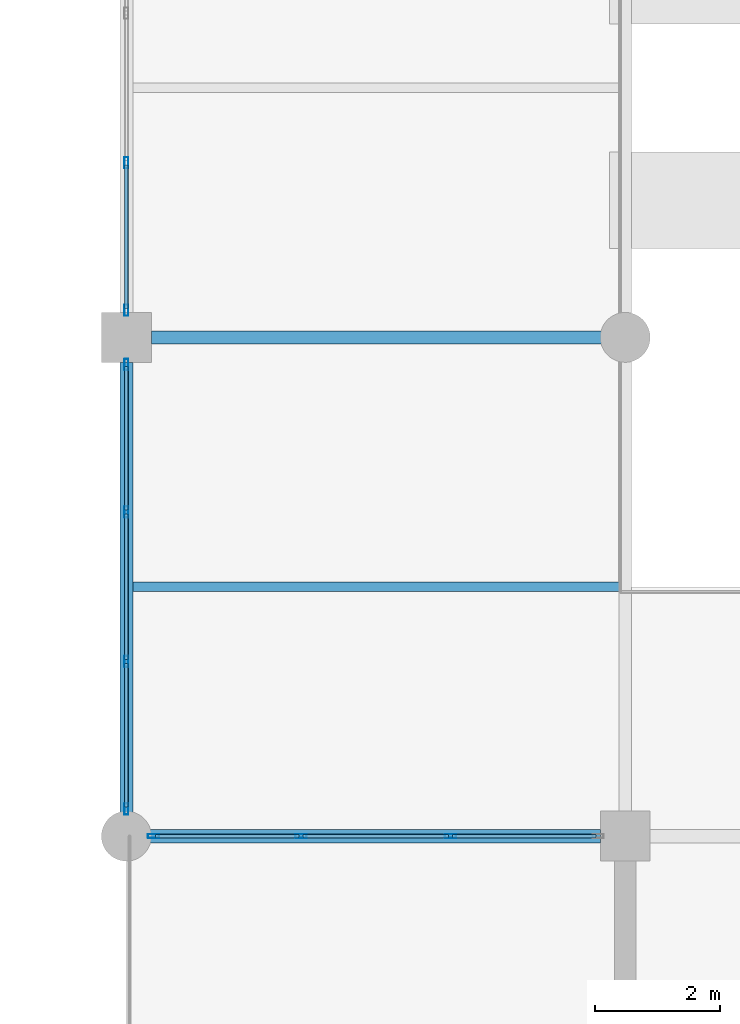
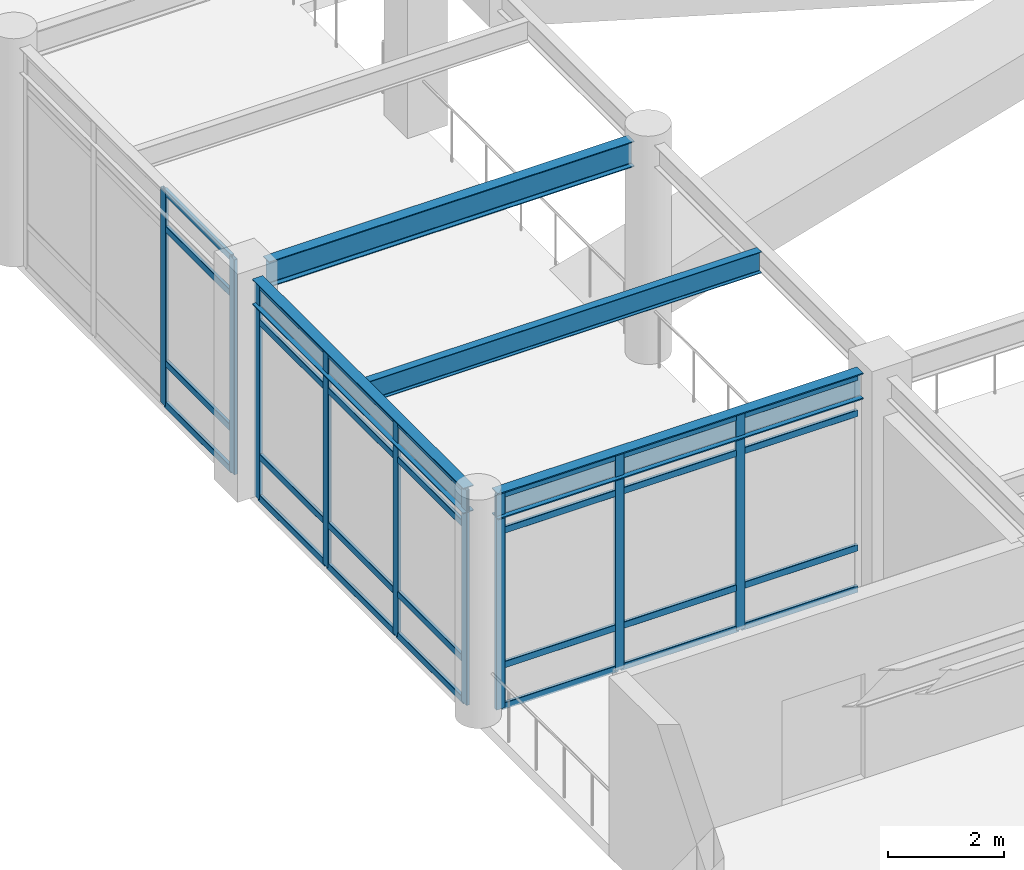
# One storey, part 34 of 117: 37 members, 4 beams, 3 elements without a shape of their own.
"""IFC4 building model written with IfcOpenShell, lengths in metres."""

from ifc_helpers import new_model, si_unit, direction, frame, origin, origin_2d, place, context, subcontext, project, spatial, hollow_rectangle, i_section, extrude, material, material_profile, profile_set, type_object, element, aggregate, save


model = new_model("IFC4")

# Units and contexts
model_context = context("Model", 3, precision=1e-05, world=origin(), true_north=direction((0.0, 1.0)))
body_context = subcontext(model_context, "Body", "Model", "MODEL_VIEW")
ifc_project = project(units=[si_unit("LENGTHUNIT", "METRE"), si_unit("AREAUNIT", "SQUARE_METRE"), si_unit("VOLUMEUNIT", "CUBIC_METRE"), si_unit("PLANEANGLEUNIT", "RADIAN"), si_unit("MASSUNIT", "GRAM", prefix="KILO")], contexts=[model_context])

# Site, building, storey
site_placement = place(None, origin())
site = spatial("IfcSite", under=ifc_project, at=site_placement, CompositionType="ELEMENT")
building_placement = place(site_placement, origin())
building = spatial("IfcBuilding", under=site, at=building_placement, Name="Solmirada Galleria", CompositionType="ELEMENT")
storey_placement = place(building_placement, frame((0.0, 0.0, 5.60009765625)))
storey = spatial("IfcBuildingStorey", under=building, at=storey_placement, Name="L01", CompositionType="ELEMENT", Elevation=5.60009765625)

# Beams
ifc_material_1 = material(Name="Steel S355 / ASTM A992 Grade 50", Category="steel")
ifc_material_profile_1 = material_profile(ifc_material_1, i_section(OverallWidth=0.214111328125, OverallDepth=0.549072265625, WebThickness=0.0146484375, FlangeThickness=0.023681640625, FilletRadius=0.014892578125, at=origin_2d()), Name="W21X93")
ifc_profile_set_1 = profile_set([ifc_material_profile_1], Name="Steel S355 / ASTM A992 Grade 50")
beam_type_1 = type_object("IfcBeamType", Name="BM-GIRD-W21A", PredefinedType="BEAM", material=ifc_profile_set_1)
beam_1_placement = place(storey_placement, frame((80.3359375, 48.0, 4.325439453125), z_axis=(1.0, 0.0, 0.0), x_axis=(0.0, 1.0, 0.0)))
element("IfcBeam", 1, at=beam_1_placement, inside=storey, type_object=beam_type_1, Name="Primary beam L02 X(80..88, 48)", PredefinedType="BEAM", context=body_context, shape_type="SweptSolid", body=[
    extrude(i_section(OverallWidth=0.214111328125, OverallDepth=0.549072265625, WebThickness=0.0146484375, FlangeThickness=0.023681640625, FilletRadius=0.014892578125, at=origin_2d()), origin(), (0.0, 0.0, 1.0), 7.26416015625),
])
ifc_material_profile_2 = material_profile(ifc_material_1, i_section(OverallWidth=0.2099609375, OverallDepth=0.537109375, WebThickness=0.010986328125, FlangeThickness=0.017333984375, FilletRadius=0.014892578125, at=origin_2d()), Name="W21X68")
ifc_profile_set_2 = profile_set([ifc_material_profile_2], Name="Steel S355 / ASTM A992 Grade 50")
beam_type_2 = type_object("IfcBeamType", Name="BM-GIRD-W21B", PredefinedType="BEAM", material=ifc_profile_set_2)
for number, where, z_axis, x_axis, name in (
    (2, (80.39990234375, 56.0, 4.331298828125), (1.0, 0.0, 0.0), (0.0, 1.0, 0.0), "Primary beam L02 X(80..88, 56)"),
    (3, (80.0, 48.3359375, 4.331298828125), (0.0, 1.0, 0.0), (-1.0, 0.0, 0.0), "Primary girder L02 Y(80, 48..56)"),
):
    element("IfcBeam", number, at=place(storey_placement, frame(where, z_axis=z_axis, x_axis=x_axis)), inside=storey, type_object=beam_type_2, Name=name, PredefinedType="BEAM", context=body_context, shape_type="SweptSolid", body=[
        extrude(i_section(OverallWidth=0.2099609375, OverallDepth=0.537109375, WebThickness=0.010986328125, FlangeThickness=0.017333984375, FilletRadius=0.014892578125, at=origin_2d()), origin(), (0.0, 0.0, 1.0), 7.26416015625),
    ])
ifc_material_profile_3 = material_profile(ifc_material_1, i_section(OverallWidth=0.152099609375, OverallDepth=0.449951171875, WebThickness=0.007568359375, FlangeThickness=0.0107421875, FilletRadius=0.011962890625, at=origin_2d()), Name="W18X35")
ifc_profile_set_3 = profile_set([ifc_material_profile_3], Name="Steel S355 / ASTM A992 Grade 50")
beam_type_3 = type_object("IfcBeamType", Name="BM-JST-W18B", PredefinedType="JOIST", material=ifc_profile_set_3)
beam_2_placement = place(storey_placement, frame((80.10498046875, 52.0, 4.375), z_axis=(1.0, 0.0, 0.0), x_axis=(0.0, 1.0, 0.0)))
element("IfcBeam", 4, at=beam_2_placement, inside=storey, type_object=beam_type_3, Name="Composite floor joist L02 (80..88, 52.0)", PredefinedType="JOIST", context=body_context, shape_type="SweptSolid", body=[
    extrude(i_section(OverallWidth=0.152099609375, OverallDepth=0.449951171875, WebThickness=0.007568359375, FlangeThickness=0.0107421875, FilletRadius=0.011962890625, at=origin_2d()), origin(), (0.0, 0.0, 1.0), 7.798095703125),
])

# Curtain wall, members
ifc_material_2 = material(Name="Impact-resistant low-E double glazing", Category="glass")
curtain_wall_type = type_object("IfcCurtainWallType", Name="CW-FZ3-L01-B3-L072", PredefinedType="NOTDEFINED", material=ifc_material_2)
curtain_wall_1_placement = place(storey_placement, origin())
curtain_wall_1 = element("IfcCurtainWall", 5, at=curtain_wall_1_placement, inside=storey, type_object=curtain_wall_type, Name="Terrace and arcade storefront CW-L01-043", PredefinedType="NOTDEFINED")
ifc_material_3 = material(Name="Anodised aluminium framing", Category="aluminium")
ifc_material_profile_4 = material_profile(ifc_material_3, hollow_rectangle(XDim=0.06494140625, YDim=0.179931640625, WallThickness=0.00390625, InnerFilletRadius=0.00390625, OuterFilletRadius=0.008056640625, at=origin_2d()), Name="ALU-MULL-180X65")
ifc_profile_set_4 = profile_set([ifc_material_profile_4], Name="Anodised aluminium framing")
member_type_1 = type_object("IfcMemberType", Name="CW-MULL-180", PredefinedType="MULLION", material=ifc_profile_set_4)
member_1_placement = place(storey_placement, frame((85.19921875, 48.0, 0.0), z_axis=(0.0, 0.0, 1.0), x_axis=(0.0, -1.0, 0.0)))
member_1 = element("IfcMember", 6, at=member_1_placement, type_object=member_type_1, Name="CW12 mullion 2", PredefinedType="MULLION", context=body_context, shape_type="SweptSolid", body=[
    extrude(hollow_rectangle(XDim=0.06494140625, YDim=0.179931640625, WallThickness=0.00390625, InnerFilletRadius=0.00390625, OuterFilletRadius=0.008056640625, at=origin_2d()), origin(), (0.0, 0.0, 1.0), 4.52001953125),
])
member_2_placement = place(storey_placement, frame((82.80078125, 48.0, 0.0), z_axis=(0.0, 0.0, 1.0), x_axis=(0.0, -1.0, 0.0)))
member_2 = element("IfcMember", 7, at=member_2_placement, type_object=member_type_1, Name="CW12 mullion 3", PredefinedType="MULLION", context=body_context, shape_type="SweptSolid", body=[
    extrude(hollow_rectangle(XDim=0.06494140625, YDim=0.179931640625, WallThickness=0.00390625, InnerFilletRadius=0.00390625, OuterFilletRadius=0.008056640625, at=origin_2d()), origin(), (0.0, 0.0, 1.0), 4.52001953125),
])
member_3_placement = place(storey_placement, frame((80.4345703125, 48.0, 0.0), z_axis=(0.0, 0.0, 1.0), x_axis=(0.0, -1.0, 0.0)))
member_3 = element("IfcMember", 8, at=member_3_placement, type_object=member_type_1, Name="CW12 mullion 4", PredefinedType="MULLION", context=body_context, shape_type="SweptSolid", body=[
    extrude(hollow_rectangle(XDim=0.06494140625, YDim=0.179931640625, WallThickness=0.00390625, InnerFilletRadius=0.00390625, OuterFilletRadius=0.008056640625, at=origin_2d()), origin(), (0.0, 0.0, 1.0), 4.52001953125),
])

curtain_wall_2_placement = place(storey_placement, origin())
curtain_wall_2 = element("IfcCurtainWall", 9, at=curtain_wall_2_placement, inside=storey, type_object=curtain_wall_type, Name="Terrace and arcade storefront CW-L01-044", PredefinedType="NOTDEFINED")
member_4_placement = place(storey_placement, frame((80.0, 48.4345703125, 0.0), z_axis=(0.0, 0.0, 1.0), x_axis=(-1.0, 0.0, 0.0)))
member_4 = element("IfcMember", 10, at=member_4_placement, type_object=member_type_1, Name="CW12 mullion 1", PredefinedType="MULLION", context=body_context, shape_type="SweptSolid", body=[
    extrude(hollow_rectangle(XDim=0.06494140625, YDim=0.179931640625, WallThickness=0.00390625, InnerFilletRadius=0.00390625, OuterFilletRadius=0.008056640625, at=origin_2d()), origin(), (0.0, 0.0, 1.0), 4.52001953125),
])
member_5_placement = place(storey_placement, frame((80.0, 50.80078125, 0.0), z_axis=(0.0, 0.0, 1.0), x_axis=(-1.0, 0.0, 0.0)))
member_5 = element("IfcMember", 11, at=member_5_placement, type_object=member_type_1, Name="CW12 mullion 2", PredefinedType="MULLION", context=body_context, shape_type="SweptSolid", body=[
    extrude(hollow_rectangle(XDim=0.06494140625, YDim=0.179931640625, WallThickness=0.00390625, InnerFilletRadius=0.00390625, OuterFilletRadius=0.008056640625, at=origin_2d()), origin(), (0.0, 0.0, 1.0), 4.52001953125),
])
member_6_placement = place(storey_placement, frame((80.0, 53.19921875, 0.0), z_axis=(0.0, 0.0, 1.0), x_axis=(-1.0, 0.0, 0.0)))
member_6 = element("IfcMember", 12, at=member_6_placement, type_object=member_type_1, Name="CW12 mullion 3", PredefinedType="MULLION", context=body_context, shape_type="SweptSolid", body=[
    extrude(hollow_rectangle(XDim=0.06494140625, YDim=0.179931640625, WallThickness=0.00390625, InnerFilletRadius=0.00390625, OuterFilletRadius=0.008056640625, at=origin_2d()), origin(), (0.0, 0.0, 1.0), 4.52001953125),
])
member_7_placement = place(storey_placement, frame((80.0, 55.5654296875, 0.0), z_axis=(0.0, 0.0, 1.0), x_axis=(-1.0, 0.0, 0.0)))
member_7 = element("IfcMember", 13, at=member_7_placement, type_object=member_type_1, Name="CW12 mullion 4", PredefinedType="MULLION", context=body_context, shape_type="SweptSolid", body=[
    extrude(hollow_rectangle(XDim=0.06494140625, YDim=0.179931640625, WallThickness=0.00390625, InnerFilletRadius=0.00390625, OuterFilletRadius=0.008056640625, at=origin_2d()), origin(), (0.0, 0.0, 1.0), 4.52001953125),
])

curtain_wall_3_placement = place(storey_placement, origin())
curtain_wall_3 = element("IfcCurtainWall", 14, at=curtain_wall_3_placement, inside=storey, type_object=curtain_wall_type, Name="Terrace and arcade storefront CW-L01-045", PredefinedType="NOTDEFINED")
member_8_placement = place(storey_placement, frame((80.0, 56.4345703125, 0.0), z_axis=(0.0, 0.0, 1.0), x_axis=(-1.0, 0.0, 0.0)))
member_8 = element("IfcMember", 15, at=member_8_placement, type_object=member_type_1, Name="CW12 mullion 1", PredefinedType="MULLION", context=body_context, shape_type="SweptSolid", body=[
    extrude(hollow_rectangle(XDim=0.06494140625, YDim=0.179931640625, WallThickness=0.00390625, InnerFilletRadius=0.00390625, OuterFilletRadius=0.008056640625, at=origin_2d()), origin(), (0.0, 0.0, 1.0), 4.52001953125),
])
member_9_placement = place(storey_placement, frame((80.0, 58.80078125, 0.0), z_axis=(0.0, 0.0, 1.0), x_axis=(-1.0, 0.0, 0.0)))
member_9 = element("IfcMember", 16, at=member_9_placement, type_object=member_type_1, Name="CW12 mullion 2", PredefinedType="MULLION", context=body_context, shape_type="SweptSolid", body=[
    extrude(hollow_rectangle(XDim=0.06494140625, YDim=0.179931640625, WallThickness=0.00390625, InnerFilletRadius=0.00390625, OuterFilletRadius=0.008056640625, at=origin_2d()), origin(), (0.0, 0.0, 1.0), 4.52001953125),
])

# Member
ifc_material_profile_5 = material_profile(ifc_material_3, hollow_rectangle(XDim=0.06494140625, YDim=0.139892578125, WallThickness=0.00341796875, InnerFilletRadius=0.00341796875, OuterFilletRadius=0.007080078125, at=origin_2d()), Name="ALU-TRAN-140X65")
ifc_profile_set_5 = profile_set([ifc_material_profile_5], Name="Anodised aluminium framing")
member_type_2 = type_object("IfcMemberType", Name="CW-TRAN-140", PredefinedType="USERDEFINED", material=ifc_profile_set_5)
member_10_placement = place(storey_placement, frame((87.532958984375, 48.0, 0.032470703125), z_axis=(-1.0, 0.0, 0.0), x_axis=(0.0, -1.0, 0.0)))
member_10 = element("IfcMember", 17, at=member_10_placement, type_object=member_type_2, Name="CW12 transom 1.1", ObjectType="TRANSOM", PredefinedType="USERDEFINED", context=body_context, shape_type="SweptSolid", body=[
    extrude(hollow_rectangle(XDim=0.06494140625, YDim=0.139892578125, WallThickness=0.00341796875, InnerFilletRadius=0.00341796875, OuterFilletRadius=0.007080078125, at=origin_2d()), origin(), (0.0, 0.0, 1.0), 2.301025390625),
])

member_11_placement = place(storey_placement, frame((87.532958984375, 48.0, 0.89990234375), z_axis=(-1.0, 0.0, 0.0), x_axis=(0.0, -1.0, 0.0)))
member_11 = element("IfcMember", 18, at=member_11_placement, type_object=member_type_2, Name="CW12 transom 1.2", ObjectType="TRANSOM", PredefinedType="USERDEFINED", context=body_context, shape_type="SweptSolid", body=[
    extrude(hollow_rectangle(XDim=0.06494140625, YDim=0.139892578125, WallThickness=0.00341796875, InnerFilletRadius=0.00341796875, OuterFilletRadius=0.007080078125, at=origin_2d()), origin(), (0.0, 0.0, 1.0), 2.301025390625),
])

member_12_placement = place(storey_placement, frame((87.532958984375, 48.0, 3.72998046875), z_axis=(-1.0, 0.0, 0.0), x_axis=(0.0, -1.0, 0.0)))
member_12 = element("IfcMember", 19, at=member_12_placement, type_object=member_type_2, Name="CW12 transom 1.3", ObjectType="TRANSOM", PredefinedType="USERDEFINED", context=body_context, shape_type="SweptSolid", body=[
    extrude(hollow_rectangle(XDim=0.06494140625, YDim=0.139892578125, WallThickness=0.00341796875, InnerFilletRadius=0.00341796875, OuterFilletRadius=0.007080078125, at=origin_2d()), origin(), (0.0, 0.0, 1.0), 2.301025390625),
])

member_13_placement = place(storey_placement, frame((87.532958984375, 48.0, 4.4873046875), z_axis=(-1.0, 0.0, 0.0), x_axis=(0.0, -1.0, 0.0)))
member_13 = element("IfcMember", 20, at=member_13_placement, type_object=member_type_2, Name="CW12 transom 1.4", ObjectType="TRANSOM", PredefinedType="USERDEFINED", context=body_context, shape_type="SweptSolid", body=[
    extrude(hollow_rectangle(XDim=0.06494140625, YDim=0.139892578125, WallThickness=0.00341796875, InnerFilletRadius=0.00341796875, OuterFilletRadius=0.007080078125, at=origin_2d()), origin(), (0.0, 0.0, 1.0), 2.301025390625),
])

member_14_placement = place(storey_placement, frame((85.166748046875, 48.0, 0.032470703125), z_axis=(-1.0, 0.0, 0.0), x_axis=(0.0, -1.0, 0.0)))
member_14 = element("IfcMember", 21, at=member_14_placement, type_object=member_type_2, Name="CW12 transom 2.1", ObjectType="TRANSOM", PredefinedType="USERDEFINED", context=body_context, shape_type="SweptSolid", body=[
    extrude(hollow_rectangle(XDim=0.06494140625, YDim=0.139892578125, WallThickness=0.00341796875, InnerFilletRadius=0.00341796875, OuterFilletRadius=0.007080078125, at=origin_2d()), origin(), (0.0, 0.0, 1.0), 2.33349609375),
])

member_15_placement = place(storey_placement, frame((85.166748046875, 48.0, 0.89990234375), z_axis=(-1.0, 0.0, 0.0), x_axis=(0.0, -1.0, 0.0)))
member_15 = element("IfcMember", 22, at=member_15_placement, type_object=member_type_2, Name="CW12 transom 2.2", ObjectType="TRANSOM", PredefinedType="USERDEFINED", context=body_context, shape_type="SweptSolid", body=[
    extrude(hollow_rectangle(XDim=0.06494140625, YDim=0.139892578125, WallThickness=0.00341796875, InnerFilletRadius=0.00341796875, OuterFilletRadius=0.007080078125, at=origin_2d()), origin(), (0.0, 0.0, 1.0), 2.33349609375),
])

member_16_placement = place(storey_placement, frame((85.166748046875, 48.0, 3.72998046875), z_axis=(-1.0, 0.0, 0.0), x_axis=(0.0, -1.0, 0.0)))
member_16 = element("IfcMember", 23, at=member_16_placement, type_object=member_type_2, Name="CW12 transom 2.3", ObjectType="TRANSOM", PredefinedType="USERDEFINED", context=body_context, shape_type="SweptSolid", body=[
    extrude(hollow_rectangle(XDim=0.06494140625, YDim=0.139892578125, WallThickness=0.00341796875, InnerFilletRadius=0.00341796875, OuterFilletRadius=0.007080078125, at=origin_2d()), origin(), (0.0, 0.0, 1.0), 2.33349609375),
])

member_17_placement = place(storey_placement, frame((85.166748046875, 48.0, 4.4873046875), z_axis=(-1.0, 0.0, 0.0), x_axis=(0.0, -1.0, 0.0)))
member_17 = element("IfcMember", 24, at=member_17_placement, type_object=member_type_2, Name="CW12 transom 2.4", ObjectType="TRANSOM", PredefinedType="USERDEFINED", context=body_context, shape_type="SweptSolid", body=[
    extrude(hollow_rectangle(XDim=0.06494140625, YDim=0.139892578125, WallThickness=0.00341796875, InnerFilletRadius=0.00341796875, OuterFilletRadius=0.007080078125, at=origin_2d()), origin(), (0.0, 0.0, 1.0), 2.33349609375),
])

member_18_placement = place(storey_placement, frame((82.76806640625, 48.0, 0.032470703125), z_axis=(-1.0, 0.0, 0.0), x_axis=(0.0, -1.0, 0.0)))
member_18 = element("IfcMember", 25, at=member_18_placement, type_object=member_type_2, Name="CW12 transom 3.1", ObjectType="TRANSOM", PredefinedType="USERDEFINED", context=body_context, shape_type="SweptSolid", body=[
    extrude(hollow_rectangle(XDim=0.06494140625, YDim=0.139892578125, WallThickness=0.00341796875, InnerFilletRadius=0.00341796875, OuterFilletRadius=0.007080078125, at=origin_2d()), origin(), (0.0, 0.0, 1.0), 2.301025390625),
])

member_19_placement = place(storey_placement, frame((82.76806640625, 48.0, 0.89990234375), z_axis=(-1.0, 0.0, 0.0), x_axis=(0.0, -1.0, 0.0)))
member_19 = element("IfcMember", 26, at=member_19_placement, type_object=member_type_2, Name="CW12 transom 3.2", ObjectType="TRANSOM", PredefinedType="USERDEFINED", context=body_context, shape_type="SweptSolid", body=[
    extrude(hollow_rectangle(XDim=0.06494140625, YDim=0.139892578125, WallThickness=0.00341796875, InnerFilletRadius=0.00341796875, OuterFilletRadius=0.007080078125, at=origin_2d()), origin(), (0.0, 0.0, 1.0), 2.301025390625),
])

member_20_placement = place(storey_placement, frame((82.76806640625, 48.0, 3.72998046875), z_axis=(-1.0, 0.0, 0.0), x_axis=(0.0, -1.0, 0.0)))
member_20 = element("IfcMember", 27, at=member_20_placement, type_object=member_type_2, Name="CW12 transom 3.3", ObjectType="TRANSOM", PredefinedType="USERDEFINED", context=body_context, shape_type="SweptSolid", body=[
    extrude(hollow_rectangle(XDim=0.06494140625, YDim=0.139892578125, WallThickness=0.00341796875, InnerFilletRadius=0.00341796875, OuterFilletRadius=0.007080078125, at=origin_2d()), origin(), (0.0, 0.0, 1.0), 2.301025390625),
])

member_21_placement = place(storey_placement, frame((82.76806640625, 48.0, 4.4873046875), z_axis=(-1.0, 0.0, 0.0), x_axis=(0.0, -1.0, 0.0)))
member_21 = element("IfcMember", 28, at=member_21_placement, type_object=member_type_2, Name="CW12 transom 3.4", ObjectType="TRANSOM", PredefinedType="USERDEFINED", context=body_context, shape_type="SweptSolid", body=[
    extrude(hollow_rectangle(XDim=0.06494140625, YDim=0.139892578125, WallThickness=0.00341796875, InnerFilletRadius=0.00341796875, OuterFilletRadius=0.007080078125, at=origin_2d()), origin(), (0.0, 0.0, 1.0), 2.301025390625),
])

aggregate(curtain_wall_1, [member_1, member_2, member_3, member_10, member_11, member_12, member_13, member_14, member_15, member_16, member_17, member_18, member_19, member_20, member_21])

member_22_placement = place(storey_placement, frame((80.0, 48.467041015625, 0.032470703125), z_axis=(0.0, 1.0, 0.0), x_axis=(-1.0, 0.0, 0.0)))
member_22 = element("IfcMember", 29, at=member_22_placement, type_object=member_type_2, Name="CW12 transom 1.1", ObjectType="TRANSOM", PredefinedType="USERDEFINED", context=body_context, shape_type="SweptSolid", body=[
    extrude(hollow_rectangle(XDim=0.06494140625, YDim=0.139892578125, WallThickness=0.00341796875, InnerFilletRadius=0.00341796875, OuterFilletRadius=0.007080078125, at=origin_2d()), origin(), (0.0, 0.0, 1.0), 2.301025390625),
])

member_23_placement = place(storey_placement, frame((80.0, 48.467041015625, 0.89990234375), z_axis=(0.0, 1.0, 0.0), x_axis=(-1.0, 0.0, 0.0)))
member_23 = element("IfcMember", 30, at=member_23_placement, type_object=member_type_2, Name="CW12 transom 1.2", ObjectType="TRANSOM", PredefinedType="USERDEFINED", context=body_context, shape_type="SweptSolid", body=[
    extrude(hollow_rectangle(XDim=0.06494140625, YDim=0.139892578125, WallThickness=0.00341796875, InnerFilletRadius=0.00341796875, OuterFilletRadius=0.007080078125, at=origin_2d()), origin(), (0.0, 0.0, 1.0), 2.301025390625),
])

member_24_placement = place(storey_placement, frame((80.0, 48.467041015625, 3.72998046875), z_axis=(0.0, 1.0, 0.0), x_axis=(-1.0, 0.0, 0.0)))
member_24 = element("IfcMember", 31, at=member_24_placement, type_object=member_type_2, Name="CW12 transom 1.3", ObjectType="TRANSOM", PredefinedType="USERDEFINED", context=body_context, shape_type="SweptSolid", body=[
    extrude(hollow_rectangle(XDim=0.06494140625, YDim=0.139892578125, WallThickness=0.00341796875, InnerFilletRadius=0.00341796875, OuterFilletRadius=0.007080078125, at=origin_2d()), origin(), (0.0, 0.0, 1.0), 2.301025390625),
])

member_25_placement = place(storey_placement, frame((80.0, 48.467041015625, 4.4873046875), z_axis=(0.0, 1.0, 0.0), x_axis=(-1.0, 0.0, 0.0)))
member_25 = element("IfcMember", 32, at=member_25_placement, type_object=member_type_2, Name="CW12 transom 1.4", ObjectType="TRANSOM", PredefinedType="USERDEFINED", context=body_context, shape_type="SweptSolid", body=[
    extrude(hollow_rectangle(XDim=0.06494140625, YDim=0.139892578125, WallThickness=0.00341796875, InnerFilletRadius=0.00341796875, OuterFilletRadius=0.007080078125, at=origin_2d()), origin(), (0.0, 0.0, 1.0), 2.301025390625),
])

member_26_placement = place(storey_placement, frame((80.0, 50.833251953125, 0.032470703125), z_axis=(0.0, 1.0, 0.0), x_axis=(-1.0, 0.0, 0.0)))
member_26 = element("IfcMember", 33, at=member_26_placement, type_object=member_type_2, Name="CW12 transom 2.1", ObjectType="TRANSOM", PredefinedType="USERDEFINED", context=body_context, shape_type="SweptSolid", body=[
    extrude(hollow_rectangle(XDim=0.06494140625, YDim=0.139892578125, WallThickness=0.00341796875, InnerFilletRadius=0.00341796875, OuterFilletRadius=0.007080078125, at=origin_2d()), origin(), (0.0, 0.0, 1.0), 2.33349609375),
])

member_27_placement = place(storey_placement, frame((80.0, 50.833251953125, 0.89990234375), z_axis=(0.0, 1.0, 0.0), x_axis=(-1.0, 0.0, 0.0)))
member_27 = element("IfcMember", 34, at=member_27_placement, type_object=member_type_2, Name="CW12 transom 2.2", ObjectType="TRANSOM", PredefinedType="USERDEFINED", context=body_context, shape_type="SweptSolid", body=[
    extrude(hollow_rectangle(XDim=0.06494140625, YDim=0.139892578125, WallThickness=0.00341796875, InnerFilletRadius=0.00341796875, OuterFilletRadius=0.007080078125, at=origin_2d()), origin(), (0.0, 0.0, 1.0), 2.33349609375),
])

member_28_placement = place(storey_placement, frame((80.0, 50.833251953125, 3.72998046875), z_axis=(0.0, 1.0, 0.0), x_axis=(-1.0, 0.0, 0.0)))
member_28 = element("IfcMember", 35, at=member_28_placement, type_object=member_type_2, Name="CW12 transom 2.3", ObjectType="TRANSOM", PredefinedType="USERDEFINED", context=body_context, shape_type="SweptSolid", body=[
    extrude(hollow_rectangle(XDim=0.06494140625, YDim=0.139892578125, WallThickness=0.00341796875, InnerFilletRadius=0.00341796875, OuterFilletRadius=0.007080078125, at=origin_2d()), origin(), (0.0, 0.0, 1.0), 2.33349609375),
])

member_29_placement = place(storey_placement, frame((80.0, 50.833251953125, 4.4873046875), z_axis=(0.0, 1.0, 0.0), x_axis=(-1.0, 0.0, 0.0)))
member_29 = element("IfcMember", 36, at=member_29_placement, type_object=member_type_2, Name="CW12 transom 2.4", ObjectType="TRANSOM", PredefinedType="USERDEFINED", context=body_context, shape_type="SweptSolid", body=[
    extrude(hollow_rectangle(XDim=0.06494140625, YDim=0.139892578125, WallThickness=0.00341796875, InnerFilletRadius=0.00341796875, OuterFilletRadius=0.007080078125, at=origin_2d()), origin(), (0.0, 0.0, 1.0), 2.33349609375),
])

member_30_placement = place(storey_placement, frame((80.0, 53.23193359375, 0.032470703125), z_axis=(0.0, 1.0, 0.0), x_axis=(-1.0, 0.0, 0.0)))
member_30 = element("IfcMember", 37, at=member_30_placement, type_object=member_type_2, Name="CW12 transom 3.1", ObjectType="TRANSOM", PredefinedType="USERDEFINED", context=body_context, shape_type="SweptSolid", body=[
    extrude(hollow_rectangle(XDim=0.06494140625, YDim=0.139892578125, WallThickness=0.00341796875, InnerFilletRadius=0.00341796875, OuterFilletRadius=0.007080078125, at=origin_2d()), origin(), (0.0, 0.0, 1.0), 2.301025390625),
])

member_31_placement = place(storey_placement, frame((80.0, 53.23193359375, 0.89990234375), z_axis=(0.0, 1.0, 0.0), x_axis=(-1.0, 0.0, 0.0)))
member_31 = element("IfcMember", 38, at=member_31_placement, type_object=member_type_2, Name="CW12 transom 3.2", ObjectType="TRANSOM", PredefinedType="USERDEFINED", context=body_context, shape_type="SweptSolid", body=[
    extrude(hollow_rectangle(XDim=0.06494140625, YDim=0.139892578125, WallThickness=0.00341796875, InnerFilletRadius=0.00341796875, OuterFilletRadius=0.007080078125, at=origin_2d()), origin(), (0.0, 0.0, 1.0), 2.301025390625),
])

member_32_placement = place(storey_placement, frame((80.0, 53.23193359375, 3.72998046875), z_axis=(0.0, 1.0, 0.0), x_axis=(-1.0, 0.0, 0.0)))
member_32 = element("IfcMember", 39, at=member_32_placement, type_object=member_type_2, Name="CW12 transom 3.3", ObjectType="TRANSOM", PredefinedType="USERDEFINED", context=body_context, shape_type="SweptSolid", body=[
    extrude(hollow_rectangle(XDim=0.06494140625, YDim=0.139892578125, WallThickness=0.00341796875, InnerFilletRadius=0.00341796875, OuterFilletRadius=0.007080078125, at=origin_2d()), origin(), (0.0, 0.0, 1.0), 2.301025390625),
])

member_33_placement = place(storey_placement, frame((80.0, 53.23193359375, 4.4873046875), z_axis=(0.0, 1.0, 0.0), x_axis=(-1.0, 0.0, 0.0)))
member_33 = element("IfcMember", 40, at=member_33_placement, type_object=member_type_2, Name="CW12 transom 3.4", ObjectType="TRANSOM", PredefinedType="USERDEFINED", context=body_context, shape_type="SweptSolid", body=[
    extrude(hollow_rectangle(XDim=0.06494140625, YDim=0.139892578125, WallThickness=0.00341796875, InnerFilletRadius=0.00341796875, OuterFilletRadius=0.007080078125, at=origin_2d()), origin(), (0.0, 0.0, 1.0), 2.301025390625),
])

aggregate(curtain_wall_2, [member_4, member_5, member_6, member_7, member_22, member_23, member_24, member_25, member_26, member_27, member_28, member_29, member_30, member_31, member_32, member_33])

member_34_placement = place(storey_placement, frame((80.0, 56.467041015625, 0.032470703125), z_axis=(0.0, 1.0, 0.0), x_axis=(-1.0, 0.0, 0.0)))
member_34 = element("IfcMember", 41, at=member_34_placement, type_object=member_type_2, Name="CW12 transom 1.1", ObjectType="TRANSOM", PredefinedType="USERDEFINED", context=body_context, shape_type="SweptSolid", body=[
    extrude(hollow_rectangle(XDim=0.06494140625, YDim=0.139892578125, WallThickness=0.00341796875, InnerFilletRadius=0.00341796875, OuterFilletRadius=0.007080078125, at=origin_2d()), origin(), (0.0, 0.0, 1.0), 2.301025390625),
])

member_35_placement = place(storey_placement, frame((80.0, 56.467041015625, 0.89990234375), z_axis=(0.0, 1.0, 0.0), x_axis=(-1.0, 0.0, 0.0)))
member_35 = element("IfcMember", 42, at=member_35_placement, type_object=member_type_2, Name="CW12 transom 1.2", ObjectType="TRANSOM", PredefinedType="USERDEFINED", context=body_context, shape_type="SweptSolid", body=[
    extrude(hollow_rectangle(XDim=0.06494140625, YDim=0.139892578125, WallThickness=0.00341796875, InnerFilletRadius=0.00341796875, OuterFilletRadius=0.007080078125, at=origin_2d()), origin(), (0.0, 0.0, 1.0), 2.301025390625),
])

member_36_placement = place(storey_placement, frame((80.0, 56.467041015625, 3.72998046875), z_axis=(0.0, 1.0, 0.0), x_axis=(-1.0, 0.0, 0.0)))
member_36 = element("IfcMember", 43, at=member_36_placement, type_object=member_type_2, Name="CW12 transom 1.3", ObjectType="TRANSOM", PredefinedType="USERDEFINED", context=body_context, shape_type="SweptSolid", body=[
    extrude(hollow_rectangle(XDim=0.06494140625, YDim=0.139892578125, WallThickness=0.00341796875, InnerFilletRadius=0.00341796875, OuterFilletRadius=0.007080078125, at=origin_2d()), origin(), (0.0, 0.0, 1.0), 2.301025390625),
])

member_37_placement = place(storey_placement, frame((80.0, 56.467041015625, 4.4873046875), z_axis=(0.0, 1.0, 0.0), x_axis=(-1.0, 0.0, 0.0)))
member_37 = element("IfcMember", 44, at=member_37_placement, type_object=member_type_2, Name="CW12 transom 1.4", ObjectType="TRANSOM", PredefinedType="USERDEFINED", context=body_context, shape_type="SweptSolid", body=[
    extrude(hollow_rectangle(XDim=0.06494140625, YDim=0.139892578125, WallThickness=0.00341796875, InnerFilletRadius=0.00341796875, OuterFilletRadius=0.007080078125, at=origin_2d()), origin(), (0.0, 0.0, 1.0), 2.301025390625),
])

aggregate(curtain_wall_3, [member_8, member_9, member_34, member_35, member_36, member_37])

save(model, "model.ifc")
